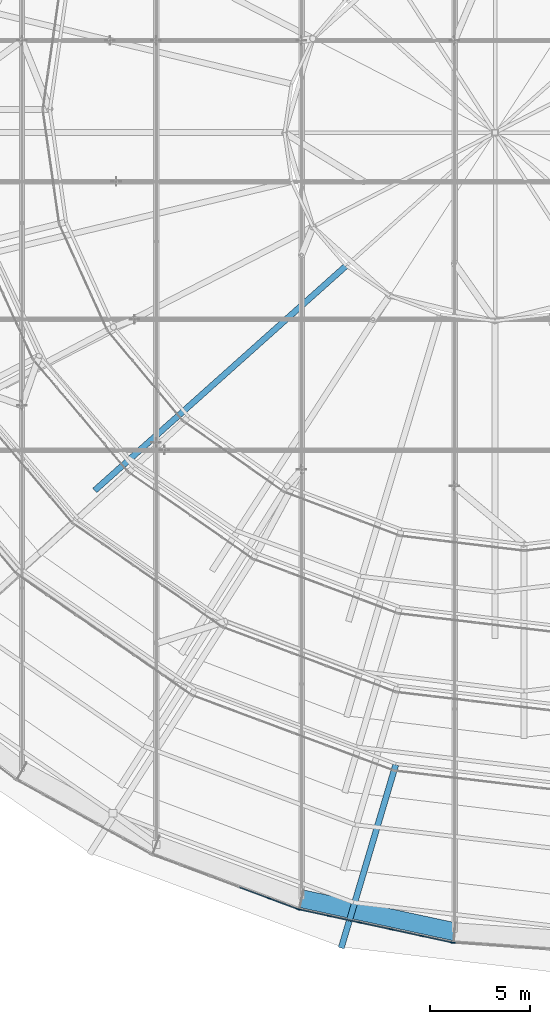
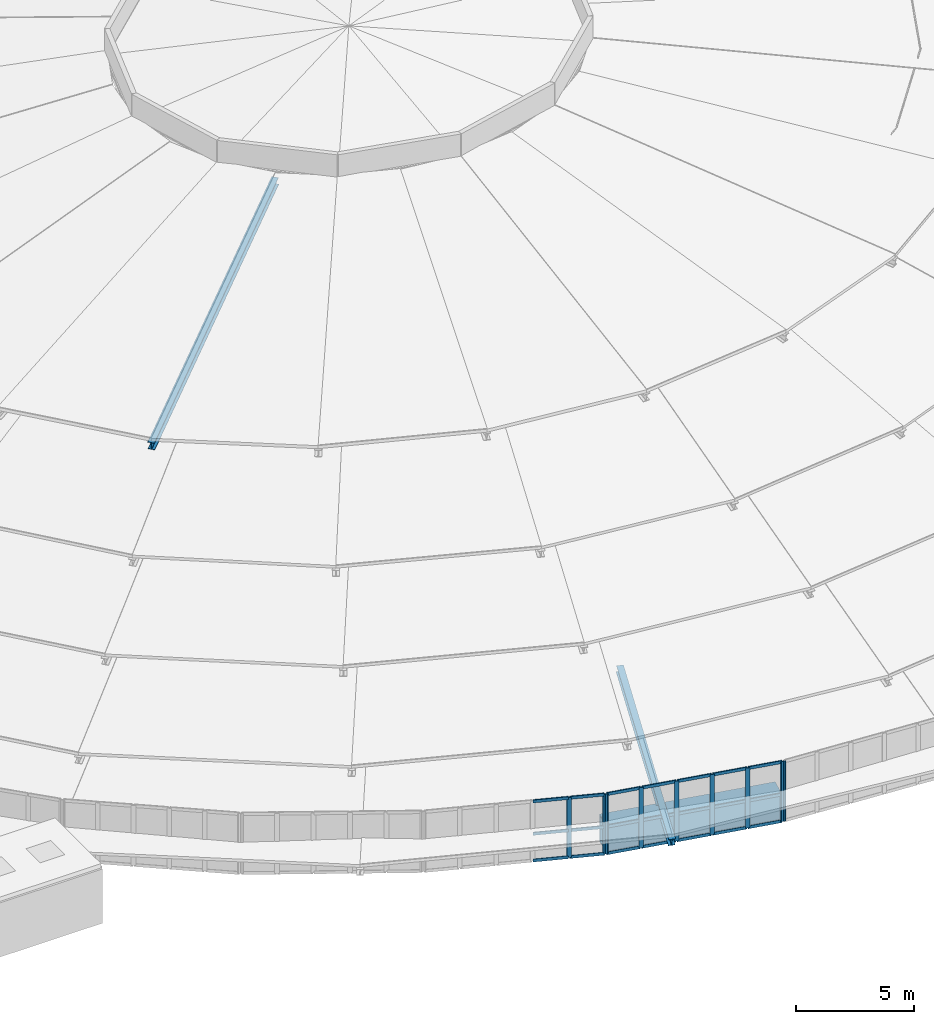
# One storey, part 9 of 173: 32 members, 1 beam, 3 elements without a shape of their own.
"""IFC4 building model written with IfcOpenShell, lengths in metres."""

import ifcopenshell
import ifcopenshell.guid

model = None  # the IFC model being written
_history = None  # IfcOwnerHistory: only IFC2X3 demands one
_inside = {}  # id of a spatial element -> (the spatial element, [elements in it])
_under = {}  # id of a project, library or spatial element -> (it, [spatial elements below it])
_declared = {}  # id of a project -> (the project, [libraries it declares])
_typed = {}  # id of a type object -> (the type object, [elements of that type])
_made_of = {}  # id of a material, layer set ... -> (it, [elements and type objects made of it])


def new_model(schema):
    """Start an empty IFC model of exactly this schema.

    Asked for "IFC4X3", IfcOpenShell would pick the latest addendum, in which some entities
    have other attributes; the version numbers below select the first issue.
    IFC2X3 requires an IfcOwnerHistory on every rooted entity: one is made here for all.
    """
    global model, _history
    if schema == "IFC4X3":
        model = ifcopenshell.file(schema_version=(4, 3, 0, 0))
    else:
        model = ifcopenshell.file(schema=schema)
    _inside.clear()
    _under.clear()
    _declared.clear()
    _typed.clear()
    _made_of.clear()
    _history = None
    if model.schema == "IFC2X3":
        org = make("IfcOrganization", Name="unknown")
        user = make(
            "IfcPersonAndOrganization",
            ThePerson=make("IfcPerson", FamilyName="unknown"),
            TheOrganization=org,
        )
        app = make(
            "IfcApplication",
            ApplicationDeveloper=org,
            Version="unknown",
            ApplicationFullName="unknown",
            ApplicationIdentifier="unknown",
        )
        _history = make(
            "IfcOwnerHistory",
            OwningUser=user,
            OwningApplication=app,
            ChangeAction="ADDED",
            CreationDate=0,
        )
    return model


def make(cls, **values):
    """One entity of the class cls with the attributes given. An attribute that is None is left unset."""
    return model.create_entity(
        cls, **{name: value for name, value in values.items() if value is not None}
    )


def rooted(cls, **values):
    """An entity with a GlobalId (a new one), such as an element, a storey or a relation."""
    return make(cls, GlobalId=ifcopenshell.guid.new(), OwnerHistory=_history, **values)


def si_unit(unit_type, name, prefix=None):
    """IfcSIUnit, for example si_unit("LENGTHUNIT", "METRE", prefix="MILLI")."""
    return make("IfcSIUnit", UnitType=unit_type, Prefix=prefix, Name=name)


def assignment(units):
    """IfcUnitAssignment: the units of a project."""
    return None if units is None else make("IfcUnitAssignment", Units=units)


def point(xyz):
    """IfcCartesianPoint."""
    return None if xyz is None else make("IfcCartesianPoint", Coordinates=xyz)


def direction(xyz):
    """IfcDirection."""
    return None if xyz is None else make("IfcDirection", DirectionRatios=xyz)


def frame(location, z_axis=None, x_axis=None):
    """IfcAxis2Placement3D, a coordinate frame: its origin and axes. An axis left out is left unset."""
    return make(
        "IfcAxis2Placement3D",
        Location=point(location),
        Axis=direction(z_axis),
        RefDirection=direction(x_axis),
    )


def frame_2d(location, x_axis=None):
    """IfcAxis2Placement2D, a coordinate frame in the plane: its origin and x axis."""
    return make(
        "IfcAxis2Placement2D", Location=point(location), RefDirection=direction(x_axis)
    )


def origin():
    """The frame at (0, 0, 0) with its axes left unset."""
    return frame((0.0, 0.0, 0.0))


def origin_2d():
    """The frame at (0, 0) in the plane with its x axis left unset."""
    return frame_2d((0.0, 0.0))


def place(relative_to, where):
    """IfcLocalPlacement: puts the frame where relative to a parent placement (None: the world)."""
    return make(
        "IfcLocalPlacement", PlacementRelTo=relative_to, RelativePlacement=where
    )


def context(
    kind, dimensions, precision=None, world=None, true_north=None, identifier=None
):
    """IfcGeometricRepresentationContext, for example the 3D "Model" context."""
    return make(
        "IfcGeometricRepresentationContext",
        ContextIdentifier=identifier,
        ContextType=kind,
        CoordinateSpaceDimension=dimensions,
        Precision=precision,
        WorldCoordinateSystem=world,
        TrueNorth=true_north,
    )


def subcontext(parent, identifier, kind, view, scale=None):
    """IfcGeometricRepresentationSubContext, for example "Body" below "Model"."""
    return make(
        "IfcGeometricRepresentationSubContext",
        ContextIdentifier=identifier,
        ContextType=kind,
        ParentContext=parent,
        TargetScale=scale,
        TargetView=view,
    )


def project(units=None, contexts=None):
    """IfcProject with its units and contexts."""
    return rooted(
        "IfcProject",
        Name="project",
        RepresentationContexts=contexts,
        UnitsInContext=assignment(units),
    )


def spatial(cls, under=None, at=None, **own):
    """A site, building, storey or space (cls), placed at a placement, below another one or the project."""
    s = rooted(cls, ObjectPlacement=at, **own)
    if under is not None:
        _under.setdefault(under.id(), (under, []))[1].append(s)
    return s


def profile(cls, at=None, kind="AREA", **sizes):
    """A parametric profile (cls). Its sizes go by their IFC names, for example OverallWidth=200.0."""
    return make(cls, ProfileType=kind, Position=at, **sizes)


def rectangle(**sizes):
    """IfcRectangleProfileDef."""
    return profile("IfcRectangleProfileDef", **sizes)


def hollow_rectangle(**sizes):
    """IfcRectangleHollowProfileDef."""
    return profile("IfcRectangleHollowProfileDef", **sizes)


def i_section(**sizes):
    """IfcIShapeProfileDef."""
    return profile("IfcIShapeProfileDef", **sizes)


def extrude(swept, where, along, depth):
    """IfcExtrudedAreaSolid: the profile swept, set in the frame where, extruded along a direction by depth."""
    return make(
        "IfcExtrudedAreaSolid",
        SweptArea=swept,
        Position=where,
        ExtrudedDirection=direction(along),
        Depth=depth,
    )


def shape(context_of_items, identifier, shape_type, items):
    """IfcShapeRepresentation: the items that make up one representation, for example the "Body"."""
    return make(
        "IfcShapeRepresentation",
        ContextOfItems=context_of_items,
        RepresentationIdentifier=identifier,
        RepresentationType=shape_type,
        Items=items,
    )


def material(Name=None, Category=None):
    """IfcMaterial."""
    return make("IfcMaterial", Name=Name, Category=Category)


def material_profile(
    of_material, cross_section, Name=None, Category=None, Priority=None
):
    """IfcMaterialProfile: a cross section and its material."""
    return make(
        "IfcMaterialProfile",
        Name=Name,
        Material=of_material,
        Profile=cross_section,
        Priority=Priority,
        Category=Category,
    )


def profile_set(profiles, Name=None, composite=None):
    """IfcMaterialProfileSet."""
    return make(
        "IfcMaterialProfileSet",
        Name=Name,
        MaterialProfiles=profiles,
        CompositeProfile=composite,
    )


def made_of(thing, what):
    """Note that an element or type object is made of a material, layer set ...; save() writes the relation."""
    if what is not None:
        _made_of.setdefault(what.id(), (what, []))[1].append(thing)
    return thing


def type_object(cls, material=None, **own):
    """A type object (cls), such as IfcWallType, which elements share."""
    return made_of(rooted(cls, **own), material)


def element(
    cls,
    number,
    at=None,
    inside=None,
    cuts=None,
    type_object=None,
    material=None,
    context=None,
    identifier="Body",
    shape_type=None,
    held_by="IfcProductDefinitionShape",
    body=None,
    shapes=None,
    **own,
):
    """One element of the class cls, such as IfcWall. Its Tag is "e" and its number.

    at: its placement. inside: the storey or other place that contains it. cuts: it is an
    opening in that element (IfcRelVoidsElement). A single representation is given by context,
    identifier, shape_type and body (its items); several are given by shapes. held_by: the class
    of the entity that holds the representations. save() writes the other relations.
    """
    e = rooted(cls, Tag="e%d" % number, ObjectPlacement=at, **own)
    if body is not None:
        shapes = [shape(context, identifier, shape_type, body)]
    if shapes is not None:
        e.Representation = make(held_by, Representations=shapes)
    if inside is not None:
        _inside.setdefault(inside.id(), (inside, []))[1].append(e)
    if cuts is not None:
        rooted(
            "IfcRelVoidsElement", RelatingBuildingElement=cuts, RelatedOpeningElement=e
        )
    if type_object is not None:
        _typed.setdefault(type_object.id(), (type_object, []))[1].append(e)
    return made_of(e, material)


def aggregate(whole, parts):
    """IfcRelAggregates: a whole, such as a stair, and the parts it consists of."""
    return rooted("IfcRelAggregates", RelatingObject=whole, RelatedObjects=parts)


def save(model, path):
    """Write the relations noted so far, then the file.

    IfcRelAggregates (storeys below a building ...), IfcRelContainedInSpatialStructure (elements
    in a storey), IfcRelDefinesByType, IfcRelAssociatesMaterial and IfcRelDeclares: one each for
    every whole, place, type object, material and project.
    """
    for whole, parts in _under.values():
        aggregate(whole, parts)
    for where, things in _inside.values():
        rooted(
            "IfcRelContainedInSpatialStructure",
            RelatedElements=things,
            RelatingStructure=where,
        )
    for kind, things in _typed.values():
        rooted("IfcRelDefinesByType", RelatedObjects=things, RelatingType=kind)
    for what, things in _made_of.values():
        rooted("IfcRelAssociatesMaterial", RelatedObjects=things, RelatingMaterial=what)
    for by, libraries in _declared.values():
        rooted("IfcRelDeclares", RelatingContext=by, RelatedDefinitions=libraries)
    model.write(path)


model = new_model("IFC4")

# Units and contexts
model_context = context("Model", 3, precision=1e-05, world=origin(), true_north=direction((0.0, 1.0)))
body_context = subcontext(model_context, "Body", "Model", "MODEL_VIEW")
ifc_project = project(units=[si_unit("LENGTHUNIT", "METRE"), si_unit("AREAUNIT", "SQUARE_METRE"), si_unit("VOLUMEUNIT", "CUBIC_METRE"), si_unit("PLANEANGLEUNIT", "RADIAN"), si_unit("MASSUNIT", "GRAM", prefix="KILO")], contexts=[model_context])

# Site, building, storey
site_placement = place(None, origin())
site = spatial("IfcSite", under=ifc_project, at=site_placement, CompositionType="ELEMENT")
building_placement = place(site_placement, origin())
building = spatial("IfcBuilding", under=site, at=building_placement, Name="Glasvene Arena", CompositionType="ELEMENT")
storey_placement = place(building_placement, frame((0.0, 0.0, 28.800048828125)))
storey = spatial("IfcBuildingStorey", under=building, at=storey_placement, Name="RF", CompositionType="ELEMENT", Elevation=28.800048828125)

# Beam
ifc_material_1 = material(Name="Steel S355J2", Category="steel")
ifc_material_profile_1 = material_profile(ifc_material_1, hollow_rectangle(XDim=0.89990234375, YDim=1.39990234375, WallThickness=0.034912109375, at=origin_2d()), Name="WBOX 900x1400x35")
ifc_profile_set_1 = profile_set([ifc_material_profile_1], Name="Steel S355J2")
beam_type = type_object("IfcBeamType", Name="BM-RING-BOX1400", PredefinedType="USERDEFINED", material=ifc_profile_set_1)
beam_placement = place(storey_placement, frame((76.54931640625, 30.202392578125, -0.699951171875), z_axis=(0.977442097296, -0.211203566338, 0.0), x_axis=(0.211203566338, 0.977442097296, 0.0)))
element("IfcBeam", 1, at=beam_placement, inside=storey, type_object=beam_type, Name="Compression ring beam chord RB-29", ObjectType="RING BEAM", PredefinedType="USERDEFINED", context=body_context, shape_type="SweptSolid", body=[
    extrude(hollow_rectangle(XDim=0.89990234375, YDim=1.39990234375, WallThickness=0.034912109375, at=origin_2d()), origin(), (0.0, 0.0, 1.0), 7.804931640625),
])

# Curtain wall, members
ifc_material_2 = material(Name="Low-emissivity laminated double glazing", Category="glass")
curtain_wall_type_1 = type_object("IfcCurtainWallType", Name="CW-DRUM-782x310", PredefinedType="USERDEFINED", material=ifc_material_2)
curtain_wall_1_placement = place(storey_placement, frame((69.05078125, 32.414794921875, 0.0)))
curtain_wall_1 = element("IfcCurtainWall", 2, at=curtain_wall_1_placement, inside=storey, type_object=curtain_wall_type_1, Name="Crown compression-ring fascia curtain wall 28", ObjectType="CURTAIN WALL", PredefinedType="USERDEFINED")
ifc_material_3 = material(Name="Anodised architectural aluminium", Category="aluminium")
ifc_material_profile_2 = material_profile(ifc_material_3, rectangle(XDim=0.050048828125, YDim=0.199951171875, at=origin_2d()), Name="ALU MULLION 50x200")
ifc_profile_set_2 = profile_set([ifc_material_profile_2], Name="Anodised architectural aluminium")
member_type_1 = type_object("IfcMemberType", Name="CW-MUL-180", PredefinedType="MULLION", material=ifc_profile_set_2)
member_1_placement = place(storey_placement, frame((74.91357421875, 30.2265625, -1.380126953125), z_axis=(0.0, 0.0, 1.0), x_axis=(0.349682803856, 0.936868153311, 0.0)))
member_1 = element("IfcMember", 3, at=member_1_placement, type_object=member_type_1, Name="CW-078 mullion 5", PredefinedType="MULLION", context=body_context, shape_type="SweptSolid", body=[
    extrude(rectangle(XDim=0.050048828125, YDim=0.199951171875, at=origin_2d()), origin(), (0.0, 0.0, 1.0), 3.10009765625),
])
member_2_placement = place(storey_placement, frame((76.355712890625, 29.688232421875, -1.380126953125), z_axis=(0.0, 0.0, 1.0), x_axis=(0.349682803856, 0.936868153311, 0.0)))
member_2 = element("IfcMember", 4, at=member_2_placement, type_object=member_type_1, Name="CW-078 mullion 6", PredefinedType="MULLION", context=body_context, shape_type="SweptSolid", body=[
    extrude(rectangle(XDim=0.050048828125, YDim=0.199951171875, at=origin_2d()), origin(), (0.0, 0.0, 1.0), 3.10009765625),
])

curtain_wall_type_2 = type_object("IfcCurtainWallType", Name="CW-DRUM-789x310", PredefinedType="USERDEFINED", material=ifc_material_2)
curtain_wall_2_placement = place(storey_placement, frame((76.379150390625, 29.679443359375, 0.0)))
curtain_wall_2 = element("IfcCurtainWall", 5, at=curtain_wall_2_placement, inside=storey, type_object=curtain_wall_type_2, Name="Crown compression-ring fascia curtain wall 29", ObjectType="CURTAIN WALL", PredefinedType="USERDEFINED")
member_3_placement = place(storey_placement, frame((76.403564453125, 29.674072265625, -1.380126953125), z_axis=(0.0, 0.0, 1.0), x_axis=(0.211444690135, 0.977389964658, 0.0)))
member_3 = element("IfcMember", 6, at=member_3_placement, type_object=member_type_1, Name="CW-079 mullion 1", PredefinedType="MULLION", context=body_context, shape_type="SweptSolid", body=[
    extrude(rectangle(XDim=0.050048828125, YDim=0.199951171875, at=origin_2d()), origin(), (0.0, 0.0, 1.0), 3.10009765625),
])
member_4_placement = place(storey_placement, frame((77.921875, 29.345703125, -1.380126953125), z_axis=(0.0, 0.0, 1.0), x_axis=(0.211444690135, 0.977389964658, 0.0)))
member_4 = element("IfcMember", 7, at=member_4_placement, type_object=member_type_1, Name="CW-079 mullion 2", PredefinedType="MULLION", context=body_context, shape_type="SweptSolid", body=[
    extrude(rectangle(XDim=0.050048828125, YDim=0.199951171875, at=origin_2d()), origin(), (0.0, 0.0, 1.0), 3.10009765625),
])
member_5_placement = place(storey_placement, frame((79.46435546875, 29.011962890625, -1.380126953125), z_axis=(0.0, 0.0, 1.0), x_axis=(0.211444690135, 0.977389964658, 0.0)))
member_5 = element("IfcMember", 8, at=member_5_placement, type_object=member_type_1, Name="CW-079 mullion 3", PredefinedType="MULLION", context=body_context, shape_type="SweptSolid", body=[
    extrude(rectangle(XDim=0.050048828125, YDim=0.199951171875, at=origin_2d()), origin(), (0.0, 0.0, 1.0), 3.10009765625),
])
member_6_placement = place(storey_placement, frame((81.007080078125, 28.67822265625, -1.380126953125), z_axis=(0.0, 0.0, 1.0), x_axis=(0.211444690135, 0.977389964658, 0.0)))
member_6 = element("IfcMember", 9, at=member_6_placement, type_object=member_type_1, Name="CW-079 mullion 4", PredefinedType="MULLION", context=body_context, shape_type="SweptSolid", body=[
    extrude(rectangle(XDim=0.050048828125, YDim=0.199951171875, at=origin_2d()), origin(), (0.0, 0.0, 1.0), 3.10009765625),
])
member_7_placement = place(storey_placement, frame((82.549560546875, 28.344482421875, -1.380126953125), z_axis=(0.0, 0.0, 1.0), x_axis=(0.211444690135, 0.977389964658, 0.0)))
member_7 = element("IfcMember", 10, at=member_7_placement, type_object=member_type_1, Name="CW-079 mullion 5", PredefinedType="MULLION", context=body_context, shape_type="SweptSolid", body=[
    extrude(rectangle(XDim=0.050048828125, YDim=0.199951171875, at=origin_2d()), origin(), (0.0, 0.0, 1.0), 3.10009765625),
])
member_8_placement = place(storey_placement, frame((84.06787109375, 28.01611328125, -1.380126953125), z_axis=(0.0, 0.0, 1.0), x_axis=(0.211444690135, 0.977389964658, 0.0)))
member_8 = element("IfcMember", 11, at=member_8_placement, type_object=member_type_1, Name="CW-079 mullion 6", PredefinedType="MULLION", context=body_context, shape_type="SweptSolid", body=[
    extrude(rectangle(XDim=0.050048828125, YDim=0.199951171875, at=origin_2d()), origin(), (0.0, 0.0, 1.0), 3.10009765625),
])

# Curtain wall, member
curtain_wall_type_3 = type_object("IfcCurtainWallType", Name="CW-DRUM-793x310", PredefinedType="USERDEFINED", material=ifc_material_2)
curtain_wall_3_placement = place(storey_placement, frame((84.09228515625, 28.0107421875, 0.0)))
curtain_wall_3 = element("IfcCurtainWall", 12, at=curtain_wall_3_placement, inside=storey, type_object=curtain_wall_type_3, Name="Crown compression-ring fascia curtain wall 30", ObjectType="CURTAIN WALL", PredefinedType="USERDEFINED")
member_9_placement = place(storey_placement, frame((84.1171875, 28.009033203125, -1.380126953125), z_axis=(0.0, 0.0, 1.0), x_axis=(0.07073966092, 0.997494812204, 0.0)))
member_9 = element("IfcMember", 13, at=member_9_placement, type_object=member_type_1, Name="CW-080 mullion 1", PredefinedType="MULLION", context=body_context, shape_type="SweptSolid", body=[
    extrude(rectangle(XDim=0.050048828125, YDim=0.199951171875, at=origin_2d()), origin(), (0.0, 0.0, 1.0), 3.10009765625),
])
aggregate(curtain_wall_3, [member_9])

# Member
ifc_material_profile_3 = material_profile(ifc_material_3, rectangle(XDim=0.050048828125, YDim=0.14990234375, at=origin_2d()), Name="ALU TRANSOM 50x150")
ifc_profile_set_3 = profile_set([ifc_material_profile_3], Name="Anodised architectural aluminium")
member_type_2 = type_object("IfcMemberType", Name="CW-TRN-150", PredefinedType="USERDEFINED", material=ifc_profile_set_3)
member_10_placement = place(storey_placement, frame((73.47119140625, 30.764892578125, -1.35498046875), z_axis=(0.936831655381, -0.349780573327, 0.0), x_axis=(0.349780573327, 0.936831655381, 0.0)))
member_10 = element("IfcMember", 14, at=member_10_placement, type_object=member_type_2, Name="CW-078 transom 4.1", ObjectType="TRANSOM", PredefinedType="USERDEFINED", context=body_context, shape_type="SweptSolid", body=[
    extrude(rectangle(XDim=0.050048828125, YDim=0.14990234375, at=origin_2d()), origin(), (0.0, 0.0, 1.0), 1.5146484375),
])

member_11_placement = place(storey_placement, frame((73.47119140625, 30.764892578125, 0.02001953125), z_axis=(0.936831655381, -0.349780573327, 0.0), x_axis=(0.349780573327, 0.936831655381, 0.0)))
member_11 = element("IfcMember", 15, at=member_11_placement, type_object=member_type_2, Name="CW-078 transom 4.2", ObjectType="TRANSOM", PredefinedType="USERDEFINED", context=body_context, shape_type="SweptSolid", body=[
    extrude(rectangle(XDim=0.050048828125, YDim=0.14990234375, at=origin_2d()), origin(), (0.0, 0.0, 1.0), 1.5146484375),
])

member_12_placement = place(storey_placement, frame((73.47119140625, 30.764892578125, 1.695068359375), z_axis=(0.936831655381, -0.349780573327, 0.0), x_axis=(0.349780573327, 0.936831655381, 0.0)))
member_12 = element("IfcMember", 16, at=member_12_placement, type_object=member_type_2, Name="CW-078 transom 4.3", ObjectType="TRANSOM", PredefinedType="USERDEFINED", context=body_context, shape_type="SweptSolid", body=[
    extrude(rectangle(XDim=0.050048828125, YDim=0.14990234375, at=origin_2d()), origin(), (0.0, 0.0, 1.0), 1.5146484375),
])

member_13_placement = place(storey_placement, frame((74.93701171875, 30.2177734375, -1.35498046875), z_axis=(0.936820028277, -0.349811713096, 0.0), x_axis=(0.349811713096, 0.936820028277, 0.0)))
member_13 = element("IfcMember", 17, at=member_13_placement, type_object=member_type_2, Name="CW-078 transom 5.1", ObjectType="TRANSOM", PredefinedType="USERDEFINED", context=body_context, shape_type="SweptSolid", body=[
    extrude(rectangle(XDim=0.050048828125, YDim=0.14990234375, at=origin_2d()), origin(), (0.0, 0.0, 1.0), 1.4892578125),
])

member_14_placement = place(storey_placement, frame((74.93701171875, 30.2177734375, 0.02001953125), z_axis=(0.936820028277, -0.349811713096, 0.0), x_axis=(0.349811713096, 0.936820028277, 0.0)))
member_14 = element("IfcMember", 18, at=member_14_placement, type_object=member_type_2, Name="CW-078 transom 5.2", ObjectType="TRANSOM", PredefinedType="USERDEFINED", context=body_context, shape_type="SweptSolid", body=[
    extrude(rectangle(XDim=0.050048828125, YDim=0.14990234375, at=origin_2d()), origin(), (0.0, 0.0, 1.0), 1.4892578125),
])

member_15_placement = place(storey_placement, frame((74.93701171875, 30.2177734375, 1.695068359375), z_axis=(0.936820028277, -0.349811713096, 0.0), x_axis=(0.349811713096, 0.936820028277, 0.0)))
member_15 = element("IfcMember", 19, at=member_15_placement, type_object=member_type_2, Name="CW-078 transom 5.3", ObjectType="TRANSOM", PredefinedType="USERDEFINED", context=body_context, shape_type="SweptSolid", body=[
    extrude(rectangle(XDim=0.050048828125, YDim=0.14990234375, at=origin_2d()), origin(), (0.0, 0.0, 1.0), 1.4892578125),
])

aggregate(curtain_wall_1, [member_1, member_2, member_10, member_11, member_12, member_13, member_14, member_15])

member_16_placement = place(storey_placement, frame((76.427978515625, 29.6689453125, -1.35498046875), z_axis=(0.977394217104, -0.211425032509, 0.0), x_axis=(0.211425032509, 0.977394217104, 0.0)))
member_16 = element("IfcMember", 20, at=member_16_placement, type_object=member_type_2, Name="CW-079 transom 1.1", ObjectType="TRANSOM", PredefinedType="USERDEFINED", context=body_context, shape_type="SweptSolid", body=[
    extrude(rectangle(XDim=0.050048828125, YDim=0.14990234375, at=origin_2d()), origin(), (0.0, 0.0, 1.0), 1.50341796875),
])

member_17_placement = place(storey_placement, frame((76.427978515625, 29.6689453125, 0.02001953125), z_axis=(0.977394217104, -0.211425032509, 0.0), x_axis=(0.211425032509, 0.977394217104, 0.0)))
member_17 = element("IfcMember", 21, at=member_17_placement, type_object=member_type_2, Name="CW-079 transom 1.2", ObjectType="TRANSOM", PredefinedType="USERDEFINED", context=body_context, shape_type="SweptSolid", body=[
    extrude(rectangle(XDim=0.050048828125, YDim=0.14990234375, at=origin_2d()), origin(), (0.0, 0.0, 1.0), 1.50341796875),
])

member_18_placement = place(storey_placement, frame((76.427978515625, 29.6689453125, 1.695068359375), z_axis=(0.977394217104, -0.211425032509, 0.0), x_axis=(0.211425032509, 0.977394217104, 0.0)))
member_18 = element("IfcMember", 22, at=member_18_placement, type_object=member_type_2, Name="CW-079 transom 1.3", ObjectType="TRANSOM", PredefinedType="USERDEFINED", context=body_context, shape_type="SweptSolid", body=[
    extrude(rectangle(XDim=0.050048828125, YDim=0.14990234375, at=origin_2d()), origin(), (0.0, 0.0, 1.0), 1.50341796875),
])

member_19_placement = place(storey_placement, frame((77.9462890625, 29.34033203125, -1.35498046875), z_axis=(0.977407921799, -0.2113616673, 0.0), x_axis=(0.2113616673, 0.977407921799, 0.0)))
member_19 = element("IfcMember", 23, at=member_19_placement, type_object=member_type_2, Name="CW-079 transom 2.1", ObjectType="TRANSOM", PredefinedType="USERDEFINED", context=body_context, shape_type="SweptSolid", body=[
    extrude(rectangle(XDim=0.050048828125, YDim=0.14990234375, at=origin_2d()), origin(), (0.0, 0.0, 1.0), 1.528076171875),
])

member_20_placement = place(storey_placement, frame((77.9462890625, 29.34033203125, 0.02001953125), z_axis=(0.977407921799, -0.2113616673, 0.0), x_axis=(0.2113616673, 0.977407921799, 0.0)))
member_20 = element("IfcMember", 24, at=member_20_placement, type_object=member_type_2, Name="CW-079 transom 2.2", ObjectType="TRANSOM", PredefinedType="USERDEFINED", context=body_context, shape_type="SweptSolid", body=[
    extrude(rectangle(XDim=0.050048828125, YDim=0.14990234375, at=origin_2d()), origin(), (0.0, 0.0, 1.0), 1.528076171875),
])

member_21_placement = place(storey_placement, frame((77.9462890625, 29.34033203125, 1.695068359375), z_axis=(0.977407921799, -0.2113616673, 0.0), x_axis=(0.2113616673, 0.977407921799, 0.0)))
member_21 = element("IfcMember", 25, at=member_21_placement, type_object=member_type_2, Name="CW-079 transom 2.3", ObjectType="TRANSOM", PredefinedType="USERDEFINED", context=body_context, shape_type="SweptSolid", body=[
    extrude(rectangle(XDim=0.050048828125, YDim=0.14990234375, at=origin_2d()), origin(), (0.0, 0.0, 1.0), 1.528076171875),
])

member_22_placement = place(storey_placement, frame((79.48876953125, 29.006591796875, -1.35498046875), z_axis=(0.97741505718, -0.211328668189, 0.0), x_axis=(0.211328668189, 0.97741505718, 0.0)))
member_22 = element("IfcMember", 26, at=member_22_placement, type_object=member_type_2, Name="CW-079 transom 3.1", ObjectType="TRANSOM", PredefinedType="USERDEFINED", context=body_context, shape_type="SweptSolid", body=[
    extrude(rectangle(XDim=0.050048828125, YDim=0.14990234375, at=origin_2d()), origin(), (0.0, 0.0, 1.0), 1.5283203125),
])

member_23_placement = place(storey_placement, frame((79.48876953125, 29.006591796875, 0.02001953125), z_axis=(0.97741505718, -0.211328668189, 0.0), x_axis=(0.211328668189, 0.97741505718, 0.0)))
member_23 = element("IfcMember", 27, at=member_23_placement, type_object=member_type_2, Name="CW-079 transom 3.2", ObjectType="TRANSOM", PredefinedType="USERDEFINED", context=body_context, shape_type="SweptSolid", body=[
    extrude(rectangle(XDim=0.050048828125, YDim=0.14990234375, at=origin_2d()), origin(), (0.0, 0.0, 1.0), 1.5283203125),
])

member_24_placement = place(storey_placement, frame((79.48876953125, 29.006591796875, 1.695068359375), z_axis=(0.97741505718, -0.211328668189, 0.0), x_axis=(0.211328668189, 0.97741505718, 0.0)))
member_24 = element("IfcMember", 28, at=member_24_placement, type_object=member_type_2, Name="CW-079 transom 3.3", ObjectType="TRANSOM", PredefinedType="USERDEFINED", context=body_context, shape_type="SweptSolid", body=[
    extrude(rectangle(XDim=0.050048828125, YDim=0.14990234375, at=origin_2d()), origin(), (0.0, 0.0, 1.0), 1.5283203125),
])

member_25_placement = place(storey_placement, frame((81.031494140625, 28.6728515625, -1.35498046875), z_axis=(0.977407921799, -0.2113616673, 0.0), x_axis=(0.2113616673, 0.977407921799, 0.0)))
member_25 = element("IfcMember", 29, at=member_25_placement, type_object=member_type_2, Name="CW-079 transom 4.1", ObjectType="TRANSOM", PredefinedType="USERDEFINED", context=body_context, shape_type="SweptSolid", body=[
    extrude(rectangle(XDim=0.050048828125, YDim=0.14990234375, at=origin_2d()), origin(), (0.0, 0.0, 1.0), 1.528076171875),
])

member_26_placement = place(storey_placement, frame((81.031494140625, 28.6728515625, 0.02001953125), z_axis=(0.977407921799, -0.2113616673, 0.0), x_axis=(0.2113616673, 0.977407921799, 0.0)))
member_26 = element("IfcMember", 30, at=member_26_placement, type_object=member_type_2, Name="CW-079 transom 4.2", ObjectType="TRANSOM", PredefinedType="USERDEFINED", context=body_context, shape_type="SweptSolid", body=[
    extrude(rectangle(XDim=0.050048828125, YDim=0.14990234375, at=origin_2d()), origin(), (0.0, 0.0, 1.0), 1.528076171875),
])

member_27_placement = place(storey_placement, frame((81.031494140625, 28.6728515625, 1.695068359375), z_axis=(0.977407921799, -0.2113616673, 0.0), x_axis=(0.2113616673, 0.977407921799, 0.0)))
member_27 = element("IfcMember", 31, at=member_27_placement, type_object=member_type_2, Name="CW-079 transom 4.3", ObjectType="TRANSOM", PredefinedType="USERDEFINED", context=body_context, shape_type="SweptSolid", body=[
    extrude(rectangle(XDim=0.050048828125, YDim=0.14990234375, at=origin_2d()), origin(), (0.0, 0.0, 1.0), 1.528076171875),
])

member_28_placement = place(storey_placement, frame((82.573974609375, 28.33935546875, -1.35498046875), z_axis=(0.977386956686, -0.211458593819, 0.0), x_axis=(0.211458593819, 0.977386956686, 0.0)))
member_28 = element("IfcMember", 32, at=member_28_placement, type_object=member_type_2, Name="CW-079 transom 5.1", ObjectType="TRANSOM", PredefinedType="USERDEFINED", context=body_context, shape_type="SweptSolid", body=[
    extrude(rectangle(XDim=0.050048828125, YDim=0.14990234375, at=origin_2d()), origin(), (0.0, 0.0, 1.0), 1.503173828125),
])

member_29_placement = place(storey_placement, frame((82.573974609375, 28.33935546875, 0.02001953125), z_axis=(0.977386956686, -0.211458593819, 0.0), x_axis=(0.211458593819, 0.977386956686, 0.0)))
member_29 = element("IfcMember", 33, at=member_29_placement, type_object=member_type_2, Name="CW-079 transom 5.2", ObjectType="TRANSOM", PredefinedType="USERDEFINED", context=body_context, shape_type="SweptSolid", body=[
    extrude(rectangle(XDim=0.050048828125, YDim=0.14990234375, at=origin_2d()), origin(), (0.0, 0.0, 1.0), 1.503173828125),
])

member_30_placement = place(storey_placement, frame((82.573974609375, 28.33935546875, 1.695068359375), z_axis=(0.977386956686, -0.211458593819, 0.0), x_axis=(0.211458593819, 0.977386956686, 0.0)))
member_30 = element("IfcMember", 34, at=member_30_placement, type_object=member_type_2, Name="CW-079 transom 5.3", ObjectType="TRANSOM", PredefinedType="USERDEFINED", context=body_context, shape_type="SweptSolid", body=[
    extrude(rectangle(XDim=0.050048828125, YDim=0.14990234375, at=origin_2d()), origin(), (0.0, 0.0, 1.0), 1.503173828125),
])

aggregate(curtain_wall_2, [member_3, member_4, member_5, member_6, member_7, member_8, member_16, member_17, member_18, member_19, member_20, member_21, member_22, member_23, member_24, member_25, member_26, member_27, member_28, member_29, member_30])

# Members
ifc_material_profile_4 = material_profile(ifc_material_1, i_section(OverallWidth=0.300048828125, OverallDepth=0.39990234375, WebThickness=0.013427734375, FlangeThickness=0.02392578125, FilletRadius=0.027099609375, at=origin_2d()), Name="HEB 400")
ifc_profile_set_4 = profile_set([ifc_material_profile_4], Name="Steel S355J2")
member_type_3 = type_object("IfcMemberType", Name="MB-CHORD-HEB400", PredefinedType="CHORD", material=ifc_profile_set_4)
member_31_placement = place(storey_placement, frame((78.54150390625, 27.794677734375, -0.400146484375), z_axis=(0.275988649675, 0.927020360618, 0.253896664511), x_axis=(-0.958426710374, 0.28533881762, 0.0)))
element("IfcMember", 35, at=member_31_placement, inside=storey, type_object=member_type_3, Name="Petal ring 1 radial rib 18", PredefinedType="CHORD", context=body_context, shape_type="SweptSolid", body=[
    extrude(i_section(OverallWidth=0.300048828125, OverallDepth=0.39990234375, WebThickness=0.013427734375, FlangeThickness=0.02392578125, FilletRadius=0.027099609375, at=origin_2d()), origin(), (0.0, 0.0, 1.0), 9.846435546875),
])
member_32_placement = place(storey_placement, frame((66.259521484375, 50.580810546875, 10.550048828125), z_axis=(0.737200582945, 0.658771011515, 0.15018673341), x_axis=(-0.666328746654, 0.745658099522, 0.0)))
element("IfcMember", 36, at=member_32_placement, inside=storey, type_object=member_type_3, Name="Petal ring 5 radial rib 16", PredefinedType="CHORD", context=body_context, shape_type="SweptSolid", body=[
    extrude(i_section(OverallWidth=0.300048828125, OverallDepth=0.39990234375, WebThickness=0.013427734375, FlangeThickness=0.02392578125, FilletRadius=0.027099609375, at=origin_2d()), origin(), (0.0, 0.0, 1.0), 16.9775390625),
])

save(model, "model.ifc")
